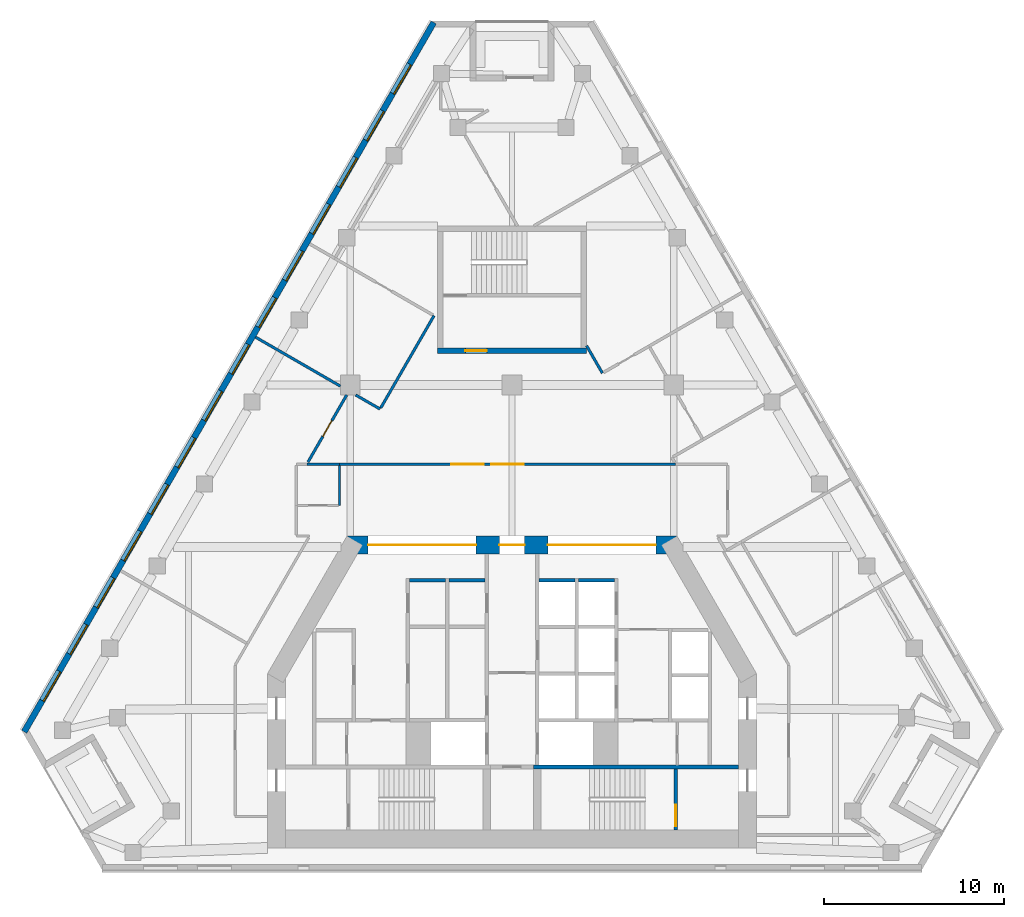
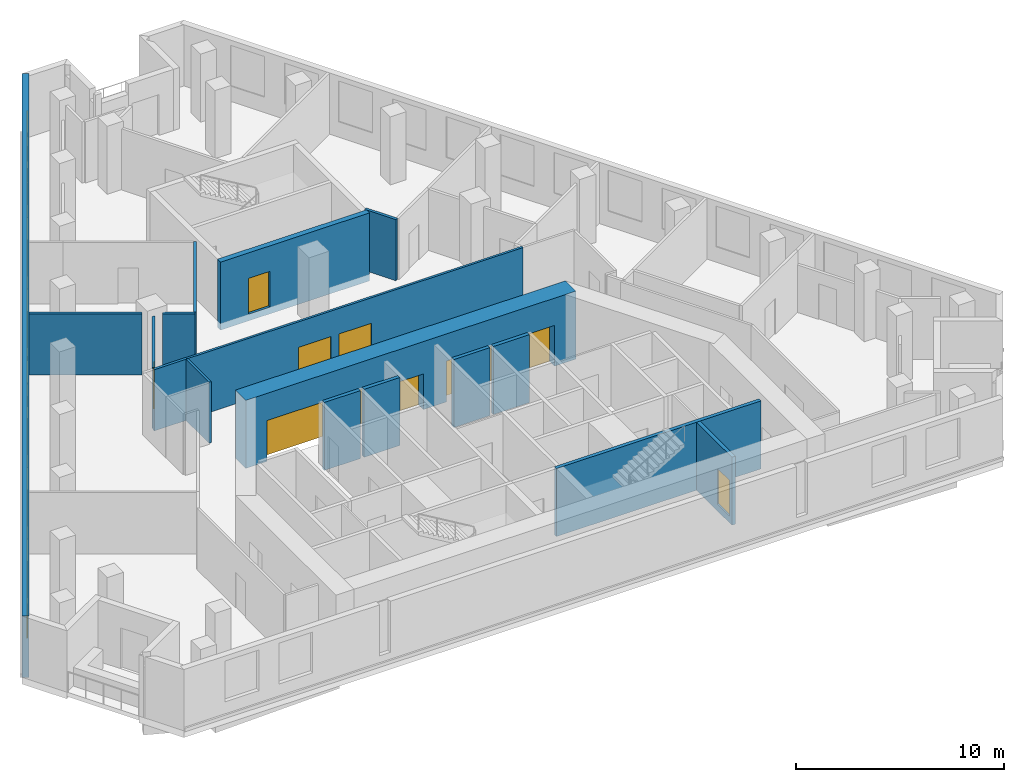
# One storey, part 5 of 9: 17 walls, 14 windows, 8 doors, 22 openings.
"""IFC4 building model written with IfcOpenShell, lengths in metres."""

from ifc_helpers import new_model, si_unit, direction, frame, frame_2d, origin, place, context, subcontext, project, spatial, rectangle, extrude, material, layer, layer_set, type_object, element, fill, save


model = new_model("IFC4")

# Units and contexts
model_context = context("Model", 3, precision=1e-05, world=origin(), true_north=direction((0.0, 1.0)))
body_context = subcontext(model_context, "Body", "Model", "MODEL_VIEW")
ifc_project = project(units=[si_unit("LENGTHUNIT", "METRE"), si_unit("AREAUNIT", "SQUARE_METRE"), si_unit("VOLUMEUNIT", "CUBIC_METRE"), si_unit("PLANEANGLEUNIT", "RADIAN"), si_unit("MASSUNIT", "GRAM", prefix="KILO")], contexts=[model_context])

# Site, building, storey
site_placement = place(None, origin())
site = spatial("IfcSite", under=ifc_project, at=site_placement, CompositionType="ELEMENT")
building_placement = place(site_placement, origin())
building = spatial("IfcBuilding", under=site, at=building_placement, Name="Fogline Exchange Tower", CompositionType="ELEMENT")
storey_placement = place(building_placement, frame((0.0, 0.0, 206.10009765625)))
storey = spatial("IfcBuildingStorey", under=building, at=storey_placement, Name="L46", CompositionType="ELEMENT", Elevation=206.10009765625)

# Wall
ifc_material_1 = material(Name="Concrete C40", Category="concrete")
ifc_layer_1 = layer(ifc_material_1, 0.199951171875)
ifc_layer_set_1 = layer_set([ifc_layer_1], Name="CW20R")
wall_type_1 = type_object("IfcWallType", Name="CW20R", PredefinedType="SOLIDWALL", material=ifc_layer_set_1)
wall_1_placement = place(storey_placement, frame((1.199951171875, 5.75, -0.400146484375), z_axis=(0.0, 0.0, 1.0), x_axis=(1.0, 0.0, 0.0)))
element("IfcWall", 1, at=wall_1_placement, inside=storey, type_object=wall_type_1, Name="Stair enclosure wall", PredefinedType="SOLIDWALL", context=body_context, shape_type="SweptSolid", body=[
    extrude(rectangle(XDim=11.400146484375, YDim=0.199951171875, at=frame_2d((5.7001953125, 0.0))), origin(), (0.0, 0.0, 1.0), 4.0),
])

# Wall, opening, door
wall_2_placement = place(storey_placement, frame((9.10009765625, 2.25, -0.400146484375), z_axis=(0.0, 0.0, 1.0), x_axis=(0.0, 1.0, 0.0)))
wall_2 = element("IfcWall", 2, at=wall_2_placement, inside=storey, type_object=wall_type_1, Name="Stair enclosure wall", PredefinedType="SOLIDWALL", context=body_context, shape_type="SweptSolid", body=[
    extrude(rectangle(XDim=3.39990234375, YDim=0.199951171875, at=frame_2d((1.699951171875, 0.0))), origin(), (0.0, 0.0, 1.0), 4.0),
])
opening_1_placement = place(wall_2_placement, frame((0.199951171875, 0.0, 0.39990234375)))
opening_1 = element("IfcOpeningElement", 3, at=opening_1_placement, cuts=wall_2, Name="Opening T15-C017", PredefinedType="OPENING", context=body_context, shape_type="SweptSolid", body=[
    extrude(rectangle(XDim=1.199951171875, YDim=2.10009765625, at=frame_2d((0.60009765625, 1.050048828125))), frame((0.0, 0.10986328125, 0.0), z_axis=(0.0, -1.0, 0.0), x_axis=(1.0, 0.0, 0.0)), (0.0, 0.0, 1.0), 0.219970703125),
])
ifc_material_2 = material(Name="Steel and timber fire door", Category="steel")
door_type_1 = type_object("IfcDoorType", Name="D-ST1", OperationType="SINGLE_SWING_LEFT", PredefinedType="DOOR", material=ifc_material_2)
door_1_placement = place(opening_1_placement, origin())
door_1 = element("IfcDoor", 4, at=door_1_placement, inside=storey, type_object=door_type_1, Name="Stair door ST2", OperationType="SINGLE_SWING_LEFT", OverallHeight=2.10009765625, OverallWidth=1.199951171875, PredefinedType="DOOR", context=body_context, shape_type="SweptSolid", body=[
    extrude(rectangle(XDim=1.199951171875, YDim=2.10009765625, at=frame_2d((0.60009765625, 1.050048828125))), frame((0.0, 0.02490234375, 0.0), z_axis=(0.0, -1.0, 0.0), x_axis=(1.0, 0.0, 0.0)), (0.0, 0.0, 1.0), 0.050048828125),
])
fill(opening_1, door_1)

# Walls
ifc_layer_2 = layer(ifc_material_1, 0.199951171875)
ifc_layer_set_2 = layer_set([ifc_layer_2], Name="CW20S")
wall_type_2 = type_object("IfcWallType", Name="CW20S", PredefinedType="SOLIDWALL", material=ifc_layer_set_2)
for number, where, z_axis, x_axis, name in (
    (5, (-5.699951171875, 16.14990234375, -0.400146484375), (0.0, 0.0, 1.0), (1.0, 0.0, 0.0), "Lift shaft wall"),
    (6, (-3.5, 16.14990234375, -0.400146484375), (0.0, 0.0, 1.0), (1.0, 0.0, 0.0), "Lift shaft wall"),
    (7, (3.699951171875, 16.14990234375, -0.400146484375), (0.0, 0.0, 1.0), (1.0, 0.0, 0.0), "Lift shaft wall"),
    (8, (1.5, 16.14990234375, -0.400146484375), (0.0, 0.0, 1.0), (1.0, 0.0, 0.0), "Lift shaft wall"),
):
    element("IfcWall", number, at=place(storey_placement, frame(where, z_axis=z_axis, x_axis=x_axis)), inside=storey, type_object=wall_type_2, Name=name, PredefinedType="SOLIDWALL", context=body_context, shape_type="SweptSolid", body=[
        extrude(rectangle(XDim=2.0, YDim=0.199951171875, at=frame_2d((1.0, 0.0))), origin(), (0.0, 0.0, 1.0), 4.0),
    ])

# Wall, opening, door
ifc_layer_3 = layer(ifc_material_1, 0.300048828125)
ifc_layer_set_3 = layer_set([ifc_layer_3], Name="CW30")
wall_type_3 = type_object("IfcWallType", Name="CW30", PredefinedType="SOLIDWALL", material=ifc_layer_set_3)
wall_3_placement = place(storey_placement, frame((-4.14990234375, 28.906982421875, -0.400146484375), z_axis=(0.0, 0.0, 1.0), x_axis=(1.0, 0.0, 0.0)))
wall_3 = element("IfcWall", 9, at=wall_3_placement, inside=storey, type_object=wall_type_3, Name="Stair enclosure wall ST3", PredefinedType="SOLIDWALL", context=body_context, shape_type="SweptSolid", body=[
    extrude(rectangle(XDim=8.2998046875, YDim=0.300048828125, at=frame_2d((4.14990234375, 0.0))), origin(), (0.0, 0.0, 1.0), 4.0),
])
opening_2_placement = place(wall_3_placement, frame((1.550048828125, 0.0, 0.39990234375)))
opening_2 = element("IfcOpeningElement", 10, at=opening_2_placement, cuts=wall_3, Name="Opening T15-C023", PredefinedType="OPENING", context=body_context, shape_type="SweptSolid", body=[
    extrude(rectangle(XDim=1.199951171875, YDim=2.10009765625, at=frame_2d((0.60009765625, 1.050048828125))), frame((0.0, 0.16015625, 0.0), z_axis=(0.0, -1.0, 0.0), x_axis=(1.0, 0.0, 0.0)), (0.0, 0.0, 1.0), 0.320068359375),
])
door_type_2 = type_object("IfcDoorType", Name="D-FR1", OperationType="SINGLE_SWING_RIGHT", PredefinedType="DOOR", material=ifc_material_2)
door_2_placement = place(opening_2_placement, origin())
door_2 = element("IfcDoor", 11, at=door_2_placement, inside=storey, type_object=door_type_2, Name="Front room door ST3", OperationType="SINGLE_SWING_LEFT", OverallHeight=2.10009765625, OverallWidth=1.199951171875, PredefinedType="DOOR", context=body_context, shape_type="SweptSolid", body=[
    extrude(rectangle(XDim=1.199951171875, YDim=2.10009765625, at=frame_2d((0.60009765625, 1.050048828125))), frame((0.0, 0.02490234375, 0.0), z_axis=(0.0, -1.0, 0.0), x_axis=(1.0, 0.0, 0.0)), (0.0, 0.0, 1.0), 0.050048828125),
])
fill(opening_2, door_2)

# Wall, openings, windows
ifc_material_3 = material(Name="Brick masonry", Category="masonry")
ifc_layer_4 = layer(ifc_material_3, 0.340087890625)
ifc_layer_set_4 = layer_set([ifc_layer_4], Name="FW1")
wall_type_4 = type_object("IfcWallType", Name="FW1", PredefinedType="SOLIDWALL", material=ifc_layer_set_4)
wall_4_placement = place(storey_placement, frame((-4.352783203125, 47.1767578125, 0.0), z_axis=(0.0, 0.0, 1.0), x_axis=(-0.500000533701, -0.866025095652, 0.0)))
wall_4 = element("IfcWall", 12, at=wall_4_placement, inside=storey, type_object=wall_type_4, Name="Brick wall L46 W", PredefinedType="SOLIDWALL", context=body_context, shape_type="SweptSolid", body=[
    extrude(rectangle(XDim=45.5732421875, YDim=0.340087890625, at=frame_2d((22.78662109375, 0.0))), origin(), (0.0, 0.0, 1.0), 3.599853515625),
])
opening_3_placement = place(wall_4_placement, frame((2.6796875, 0.0, 0.89990234375)))
opening_3 = element("IfcOpeningElement", 13, at=opening_3_placement, cuts=wall_4, Name="Opening W1", PredefinedType="OPENING", context=body_context, shape_type="SweptSolid", body=[
    extrude(rectangle(XDim=1.885009765625, YDim=2.39990234375, at=frame_2d((0.9423828125, 1.199951171875))), frame((0.0, 0.18017578125, 0.0), z_axis=(0.0, -1.0, 0.0), x_axis=(1.0, 0.0, 0.0)), (0.0, 0.0, 1.0), 0.360107421875),
])
opening_4_placement = place(wall_4_placement, frame((5.6796875, 0.0, 0.89990234375)))
opening_4 = element("IfcOpeningElement", 14, at=opening_4_placement, cuts=wall_4, Name="Opening W1", PredefinedType="OPENING", context=body_context, shape_type="SweptSolid", body=[
    extrude(rectangle(XDim=1.885009765625, YDim=2.39990234375, at=frame_2d((0.9423828125, 1.199951171875))), frame((0.0, 0.18017578125, 0.0), z_axis=(0.0, -1.0, 0.0), x_axis=(1.0, 0.0, 0.0)), (0.0, 0.0, 1.0), 0.360107421875),
])
opening_5_placement = place(wall_4_placement, frame((8.6796875, 0.0, 0.89990234375)))
opening_5 = element("IfcOpeningElement", 15, at=opening_5_placement, cuts=wall_4, Name="Opening W1", PredefinedType="OPENING", context=body_context, shape_type="SweptSolid", body=[
    extrude(rectangle(XDim=1.885009765625, YDim=2.39990234375, at=frame_2d((0.9423828125, 1.199951171875))), frame((0.0, 0.18017578125, 0.0), z_axis=(0.0, -1.0, 0.0), x_axis=(1.0, 0.0, 0.0)), (0.0, 0.0, 1.0), 0.360107421875),
])
opening_6_placement = place(wall_4_placement, frame((11.6796875, 0.0, 0.89990234375)))
opening_6 = element("IfcOpeningElement", 16, at=opening_6_placement, cuts=wall_4, Name="Opening W1", PredefinedType="OPENING", context=body_context, shape_type="SweptSolid", body=[
    extrude(rectangle(XDim=1.885009765625, YDim=2.39990234375, at=frame_2d((0.9423828125, 1.199951171875))), frame((0.0, 0.18017578125, 0.0), z_axis=(0.0, -1.0, 0.0), x_axis=(1.0, 0.0, 0.0)), (0.0, 0.0, 1.0), 0.360107421875),
])
opening_7_placement = place(wall_4_placement, frame((14.6796875, 0.0, 0.89990234375)))
opening_7 = element("IfcOpeningElement", 17, at=opening_7_placement, cuts=wall_4, Name="Opening W1", PredefinedType="OPENING", context=body_context, shape_type="SweptSolid", body=[
    extrude(rectangle(XDim=1.885009765625, YDim=2.39990234375, at=frame_2d((0.9423828125, 1.199951171875))), frame((0.0, 0.18017578125, 0.0), z_axis=(0.0, -1.0, 0.0), x_axis=(1.0, 0.0, 0.0)), (0.0, 0.0, 1.0), 0.360107421875),
])
opening_8_placement = place(wall_4_placement, frame((17.6796875, 0.0, 0.89990234375)))
opening_8 = element("IfcOpeningElement", 18, at=opening_8_placement, cuts=wall_4, Name="Opening W1", PredefinedType="OPENING", context=body_context, shape_type="SweptSolid", body=[
    extrude(rectangle(XDim=1.885009765625, YDim=2.39990234375, at=frame_2d((0.9423828125, 1.199951171875))), frame((0.0, 0.18017578125, 0.0), z_axis=(0.0, -1.0, 0.0), x_axis=(1.0, 0.0, 0.0)), (0.0, 0.0, 1.0), 0.360107421875),
])
opening_9_placement = place(wall_4_placement, frame((20.6796875, 0.0, 0.89990234375)))
opening_9 = element("IfcOpeningElement", 19, at=opening_9_placement, cuts=wall_4, Name="Opening W1", PredefinedType="OPENING", context=body_context, shape_type="SweptSolid", body=[
    extrude(rectangle(XDim=1.885009765625, YDim=2.39990234375, at=frame_2d((0.9423828125, 1.199951171875))), frame((0.0, 0.18017578125, 0.0), z_axis=(0.0, -1.0, 0.0), x_axis=(1.0, 0.0, 0.0)), (0.0, 0.0, 1.0), 0.360107421875),
])
opening_10_placement = place(wall_4_placement, frame((23.6796875, 0.0, 0.89990234375)))
opening_10 = element("IfcOpeningElement", 20, at=opening_10_placement, cuts=wall_4, Name="Opening W1", PredefinedType="OPENING", context=body_context, shape_type="SweptSolid", body=[
    extrude(rectangle(XDim=1.885009765625, YDim=2.39990234375, at=frame_2d((0.9423828125, 1.199951171875))), frame((0.0, 0.18017578125, 0.0), z_axis=(0.0, -1.0, 0.0), x_axis=(1.0, 0.0, 0.0)), (0.0, 0.0, 1.0), 0.360107421875),
])
opening_11_placement = place(wall_4_placement, frame((26.6796875, 0.0, 0.89990234375)))
opening_11 = element("IfcOpeningElement", 21, at=opening_11_placement, cuts=wall_4, Name="Opening W1", PredefinedType="OPENING", context=body_context, shape_type="SweptSolid", body=[
    extrude(rectangle(XDim=1.885009765625, YDim=2.39990234375, at=frame_2d((0.9423828125, 1.199951171875))), frame((0.0, 0.18017578125, 0.0), z_axis=(0.0, -1.0, 0.0), x_axis=(1.0, 0.0, 0.0)), (0.0, 0.0, 1.0), 0.360107421875),
])
opening_12_placement = place(wall_4_placement, frame((29.6796875, 0.0, 0.89990234375)))
opening_12 = element("IfcOpeningElement", 22, at=opening_12_placement, cuts=wall_4, Name="Opening W1", PredefinedType="OPENING", context=body_context, shape_type="SweptSolid", body=[
    extrude(rectangle(XDim=1.885009765625, YDim=2.39990234375, at=frame_2d((0.9423828125, 1.199951171875))), frame((0.0, 0.18017578125, 0.0), z_axis=(0.0, -1.0, 0.0), x_axis=(1.0, 0.0, 0.0)), (0.0, 0.0, 1.0), 0.360107421875),
])
opening_13_placement = place(wall_4_placement, frame((32.6796875, 0.0, 0.89990234375)))
opening_13 = element("IfcOpeningElement", 23, at=opening_13_placement, cuts=wall_4, Name="Opening W1", PredefinedType="OPENING", context=body_context, shape_type="SweptSolid", body=[
    extrude(rectangle(XDim=1.885009765625, YDim=2.39990234375, at=frame_2d((0.9423828125, 1.199951171875))), frame((0.0, 0.18017578125, 0.0), z_axis=(0.0, -1.0, 0.0), x_axis=(1.0, 0.0, 0.0)), (0.0, 0.0, 1.0), 0.360107421875),
])
opening_14_placement = place(wall_4_placement, frame((35.6796875, 0.0, 0.89990234375)))
opening_14 = element("IfcOpeningElement", 24, at=opening_14_placement, cuts=wall_4, Name="Opening W1", PredefinedType="OPENING", context=body_context, shape_type="SweptSolid", body=[
    extrude(rectangle(XDim=1.885009765625, YDim=2.39990234375, at=frame_2d((0.9423828125, 1.199951171875))), frame((0.0, 0.18017578125, 0.0), z_axis=(0.0, -1.0, 0.0), x_axis=(1.0, 0.0, 0.0)), (0.0, 0.0, 1.0), 0.360107421875),
])
opening_15_placement = place(wall_4_placement, frame((38.6796875, 0.0, 0.89990234375)))
opening_15 = element("IfcOpeningElement", 25, at=opening_15_placement, cuts=wall_4, Name="Opening W1", PredefinedType="OPENING", context=body_context, shape_type="SweptSolid", body=[
    extrude(rectangle(XDim=1.885009765625, YDim=2.39990234375, at=frame_2d((0.9423828125, 1.199951171875))), frame((0.0, 0.18017578125, 0.0), z_axis=(0.0, -1.0, 0.0), x_axis=(1.0, 0.0, 0.0)), (0.0, 0.0, 1.0), 0.360107421875),
])
opening_16_placement = place(wall_4_placement, frame((41.6796875, 0.0, 0.89990234375)))
opening_16 = element("IfcOpeningElement", 26, at=opening_16_placement, cuts=wall_4, Name="Opening W1", PredefinedType="OPENING", context=body_context, shape_type="SweptSolid", body=[
    extrude(rectangle(XDim=1.885009765625, YDim=2.39990234375, at=frame_2d((0.9423828125, 1.199951171875))), frame((0.0, 0.18017578125, 0.0), z_axis=(0.0, -1.0, 0.0), x_axis=(1.0, 0.0, 0.0)), (0.0, 0.0, 1.0), 0.360107421875),
])
ifc_material_4 = material(Name="Aluminium and glass", Category="aluminium")
window_type = type_object("IfcWindowType", Name="W1", PartitioningType="SINGLE_PANEL", PredefinedType="WINDOW", material=ifc_material_4)
window_1_placement = place(opening_3_placement, origin())
window_1 = element("IfcWindow", 27, at=window_1_placement, inside=storey, type_object=window_type, Name="W1 W1", OverallHeight=2.39990234375, OverallWidth=1.885009765625, PartitioningType="SINGLE_PANEL", PredefinedType="WINDOW", context=body_context, shape_type="SweptSolid", body=[
    extrude(rectangle(XDim=1.885009765625, YDim=2.39990234375, at=frame_2d((0.9423828125, 1.199951171875))), frame((0.0, 0.110107421875, 0.0), z_axis=(0.0, -1.0, 0.0), x_axis=(1.0, 0.0, 0.0)), (0.0, 0.0, 1.0), 0.06005859375),
])
fill(opening_3, window_1)
window_2_placement = place(opening_4_placement, origin())
window_2 = element("IfcWindow", 28, at=window_2_placement, inside=storey, type_object=window_type, Name="W1 W1", OverallHeight=2.39990234375, OverallWidth=1.885009765625, PartitioningType="SINGLE_PANEL", PredefinedType="WINDOW", context=body_context, shape_type="SweptSolid", body=[
    extrude(rectangle(XDim=1.885009765625, YDim=2.39990234375, at=frame_2d((0.9423828125, 1.199951171875))), frame((0.0, 0.110107421875, 0.0), z_axis=(0.0, -1.0, 0.0), x_axis=(1.0, 0.0, 0.0)), (0.0, 0.0, 1.0), 0.06005859375),
])
fill(opening_4, window_2)
window_3_placement = place(opening_5_placement, origin())
window_3 = element("IfcWindow", 29, at=window_3_placement, inside=storey, type_object=window_type, Name="W1 W1", OverallHeight=2.39990234375, OverallWidth=1.885009765625, PartitioningType="SINGLE_PANEL", PredefinedType="WINDOW", context=body_context, shape_type="SweptSolid", body=[
    extrude(rectangle(XDim=1.885009765625, YDim=2.39990234375, at=frame_2d((0.9423828125, 1.199951171875))), frame((0.0, 0.110107421875, 0.0), z_axis=(0.0, -1.0, 0.0), x_axis=(1.0, 0.0, 0.0)), (0.0, 0.0, 1.0), 0.06005859375),
])
fill(opening_5, window_3)
window_4_placement = place(opening_6_placement, origin())
window_4 = element("IfcWindow", 30, at=window_4_placement, inside=storey, type_object=window_type, Name="W1 W1", OverallHeight=2.39990234375, OverallWidth=1.885009765625, PartitioningType="SINGLE_PANEL", PredefinedType="WINDOW", context=body_context, shape_type="SweptSolid", body=[
    extrude(rectangle(XDim=1.885009765625, YDim=2.39990234375, at=frame_2d((0.9423828125, 1.199951171875))), frame((0.0, 0.110107421875, 0.0), z_axis=(0.0, -1.0, 0.0), x_axis=(1.0, 0.0, 0.0)), (0.0, 0.0, 1.0), 0.06005859375),
])
fill(opening_6, window_4)
window_5_placement = place(opening_7_placement, origin())
window_5 = element("IfcWindow", 31, at=window_5_placement, inside=storey, type_object=window_type, Name="W1 W1", OverallHeight=2.39990234375, OverallWidth=1.885009765625, PartitioningType="SINGLE_PANEL", PredefinedType="WINDOW", context=body_context, shape_type="SweptSolid", body=[
    extrude(rectangle(XDim=1.885009765625, YDim=2.39990234375, at=frame_2d((0.9423828125, 1.199951171875))), frame((0.0, 0.110107421875, 0.0), z_axis=(0.0, -1.0, 0.0), x_axis=(1.0, 0.0, 0.0)), (0.0, 0.0, 1.0), 0.06005859375),
])
fill(opening_7, window_5)
window_6_placement = place(opening_8_placement, origin())
window_6 = element("IfcWindow", 32, at=window_6_placement, inside=storey, type_object=window_type, Name="W1 W1", OverallHeight=2.39990234375, OverallWidth=1.885009765625, PartitioningType="SINGLE_PANEL", PredefinedType="WINDOW", context=body_context, shape_type="SweptSolid", body=[
    extrude(rectangle(XDim=1.885009765625, YDim=2.39990234375, at=frame_2d((0.9423828125, 1.199951171875))), frame((0.0, 0.110107421875, 0.0), z_axis=(0.0, -1.0, 0.0), x_axis=(1.0, 0.0, 0.0)), (0.0, 0.0, 1.0), 0.06005859375),
])
fill(opening_8, window_6)
window_7_placement = place(opening_9_placement, origin())
window_7 = element("IfcWindow", 33, at=window_7_placement, inside=storey, type_object=window_type, Name="W1 W1", OverallHeight=2.39990234375, OverallWidth=1.885009765625, PartitioningType="SINGLE_PANEL", PredefinedType="WINDOW", context=body_context, shape_type="SweptSolid", body=[
    extrude(rectangle(XDim=1.885009765625, YDim=2.39990234375, at=frame_2d((0.9423828125, 1.199951171875))), frame((0.0, 0.110107421875, 0.0), z_axis=(0.0, -1.0, 0.0), x_axis=(1.0, 0.0, 0.0)), (0.0, 0.0, 1.0), 0.06005859375),
])
fill(opening_9, window_7)
window_8_placement = place(opening_10_placement, origin())
window_8 = element("IfcWindow", 34, at=window_8_placement, inside=storey, type_object=window_type, Name="W1 W1", OverallHeight=2.39990234375, OverallWidth=1.885009765625, PartitioningType="SINGLE_PANEL", PredefinedType="WINDOW", context=body_context, shape_type="SweptSolid", body=[
    extrude(rectangle(XDim=1.885009765625, YDim=2.39990234375, at=frame_2d((0.9423828125, 1.199951171875))), frame((0.0, 0.110107421875, 0.0), z_axis=(0.0, -1.0, 0.0), x_axis=(1.0, 0.0, 0.0)), (0.0, 0.0, 1.0), 0.06005859375),
])
fill(opening_10, window_8)
window_9_placement = place(opening_11_placement, origin())
window_9 = element("IfcWindow", 35, at=window_9_placement, inside=storey, type_object=window_type, Name="W1 W1", OverallHeight=2.39990234375, OverallWidth=1.885009765625, PartitioningType="SINGLE_PANEL", PredefinedType="WINDOW", context=body_context, shape_type="SweptSolid", body=[
    extrude(rectangle(XDim=1.885009765625, YDim=2.39990234375, at=frame_2d((0.9423828125, 1.199951171875))), frame((0.0, 0.110107421875, 0.0), z_axis=(0.0, -1.0, 0.0), x_axis=(1.0, 0.0, 0.0)), (0.0, 0.0, 1.0), 0.06005859375),
])
fill(opening_11, window_9)
window_10_placement = place(opening_12_placement, origin())
window_10 = element("IfcWindow", 36, at=window_10_placement, inside=storey, type_object=window_type, Name="W1 W1", OverallHeight=2.39990234375, OverallWidth=1.885009765625, PartitioningType="SINGLE_PANEL", PredefinedType="WINDOW", context=body_context, shape_type="SweptSolid", body=[
    extrude(rectangle(XDim=1.885009765625, YDim=2.39990234375, at=frame_2d((0.9423828125, 1.199951171875))), frame((0.0, 0.110107421875, 0.0), z_axis=(0.0, -1.0, 0.0), x_axis=(1.0, 0.0, 0.0)), (0.0, 0.0, 1.0), 0.06005859375),
])
fill(opening_12, window_10)
window_11_placement = place(opening_13_placement, origin())
window_11 = element("IfcWindow", 37, at=window_11_placement, inside=storey, type_object=window_type, Name="W1 W1", OverallHeight=2.39990234375, OverallWidth=1.885009765625, PartitioningType="SINGLE_PANEL", PredefinedType="WINDOW", context=body_context, shape_type="SweptSolid", body=[
    extrude(rectangle(XDim=1.885009765625, YDim=2.39990234375, at=frame_2d((0.9423828125, 1.199951171875))), frame((0.0, 0.110107421875, 0.0), z_axis=(0.0, -1.0, 0.0), x_axis=(1.0, 0.0, 0.0)), (0.0, 0.0, 1.0), 0.06005859375),
])
fill(opening_13, window_11)
window_12_placement = place(opening_14_placement, origin())
window_12 = element("IfcWindow", 38, at=window_12_placement, inside=storey, type_object=window_type, Name="W1 W1", OverallHeight=2.39990234375, OverallWidth=1.885009765625, PartitioningType="SINGLE_PANEL", PredefinedType="WINDOW", context=body_context, shape_type="SweptSolid", body=[
    extrude(rectangle(XDim=1.885009765625, YDim=2.39990234375, at=frame_2d((0.9423828125, 1.199951171875))), frame((0.0, 0.110107421875, 0.0), z_axis=(0.0, -1.0, 0.0), x_axis=(1.0, 0.0, 0.0)), (0.0, 0.0, 1.0), 0.06005859375),
])
fill(opening_14, window_12)
window_13_placement = place(opening_15_placement, origin())
window_13 = element("IfcWindow", 39, at=window_13_placement, inside=storey, type_object=window_type, Name="W1 W1", OverallHeight=2.39990234375, OverallWidth=1.885009765625, PartitioningType="SINGLE_PANEL", PredefinedType="WINDOW", context=body_context, shape_type="SweptSolid", body=[
    extrude(rectangle(XDim=1.885009765625, YDim=2.39990234375, at=frame_2d((0.9423828125, 1.199951171875))), frame((0.0, 0.110107421875, 0.0), z_axis=(0.0, -1.0, 0.0), x_axis=(1.0, 0.0, 0.0)), (0.0, 0.0, 1.0), 0.06005859375),
])
fill(opening_15, window_13)
window_14_placement = place(opening_16_placement, origin())
window_14 = element("IfcWindow", 40, at=window_14_placement, inside=storey, type_object=window_type, Name="W1 W1", OverallHeight=2.39990234375, OverallWidth=1.885009765625, PartitioningType="SINGLE_PANEL", PredefinedType="WINDOW", context=body_context, shape_type="SweptSolid", body=[
    extrude(rectangle(XDim=1.885009765625, YDim=2.39990234375, at=frame_2d((0.9423828125, 1.199951171875))), frame((0.0, 0.110107421875, 0.0), z_axis=(0.0, -1.0, 0.0), x_axis=(1.0, 0.0, 0.0)), (0.0, 0.0, 1.0), 0.06005859375),
])
fill(opening_16, window_14)

# Wall, openings, doors
ifc_material_5 = material(Name="Plasterboard corridor partition with mineral wool, 2 layers each side")
ifc_layer_5 = layer(ifc_material_5, 0.125)
ifc_layer_set_5 = layer_set([ifc_layer_5], Name="PW2")
wall_type_5 = type_object("IfcWallType", Name="PW2", PredefinedType="PARTITIONING", material=ifc_layer_set_5)
wall_5_placement = place(storey_placement, frame((-9.60009765625, 22.60009765625, 0.0), z_axis=(0.0, 0.0, 1.0), x_axis=(1.0, 0.0, 0.0)))
wall_5 = element("IfcWall", 41, at=wall_5_placement, inside=storey, type_object=wall_type_5, Name="wall-L46-W007", PredefinedType="PARTITIONING", context=body_context, shape_type="SweptSolid", body=[
    extrude(rectangle(XDim=18.708251953125, YDim=0.125, at=frame_2d((9.35400390625, 0.0))), origin(), (0.0, 0.0, 1.0), 3.599853515625),
])
opening_17_placement = place(wall_5_placement, frame((6.216552734375, 0.0, 0.0)))
opening_17 = element("IfcOpeningElement", 42, at=opening_17_placement, cuts=wall_5, Name="Opening T15-D003", PredefinedType="OPENING", context=body_context, shape_type="SweptSolid", body=[
    extrude(rectangle(XDim=1.800048828125, YDim=2.10009765625, at=frame_2d((0.89990234375, 1.050048828125))), frame((0.0, 0.072509765625, 0.0), z_axis=(0.0, -1.0, 0.0), x_axis=(1.0, 0.0, 0.0)), (0.0, 0.0, 1.0), 0.14501953125),
])
opening_18_placement = place(wall_5_placement, frame((8.4541015625, 0.0, 0.0)))
opening_18 = element("IfcOpeningElement", 43, at=opening_18_placement, cuts=wall_5, Name="Opening T15-D004", PredefinedType="OPENING", context=body_context, shape_type="SweptSolid", body=[
    extrude(rectangle(XDim=1.800048828125, YDim=2.10009765625, at=frame_2d((0.89990234375, 1.050048828125))), frame((0.0, 0.072509765625, 0.0), z_axis=(0.0, -1.0, 0.0), x_axis=(1.0, 0.0, 0.0)), (0.0, 0.0, 1.0), 0.14501953125),
])
ifc_material_6 = material(Name="Fire-rated timber door leaves with steel frame", Category="steel")
door_type_3 = type_object("IfcDoorType", Name="D4", OperationType="DOUBLE_DOOR_SINGLE_SWING", PredefinedType="DOOR", material=ifc_material_6)
door_3_placement = place(opening_17_placement, frame((1.800048828125, 0.0, 0.0), z_axis=(0.0, 0.0, 1.0), x_axis=(-1.0, 0.0, 0.0)))
door_3 = element("IfcDoor", 44, at=door_3_placement, inside=storey, type_object=door_type_3, Name="door-L46-D003", OperationType="DOUBLE_DOOR_SINGLE_SWING", OverallHeight=2.10009765625, OverallWidth=1.800048828125, PredefinedType="DOOR", context=body_context, shape_type="SweptSolid", body=[
    extrude(rectangle(XDim=1.800048828125, YDim=2.10009765625, at=frame_2d((0.89990234375, 1.050048828125))), frame((0.0, 0.02490234375, 0.0), z_axis=(0.0, -1.0, 0.0), x_axis=(1.0, 0.0, 0.0)), (0.0, 0.0, 1.0), 0.050048828125),
])
fill(opening_17, door_3)
door_4_placement = place(opening_18_placement, frame((1.800048828125, 0.0, 0.0), z_axis=(0.0, 0.0, 1.0), x_axis=(-1.0, 0.0, 0.0)))
door_4 = element("IfcDoor", 45, at=door_4_placement, inside=storey, type_object=door_type_3, Name="door-L46-D004", OperationType="DOUBLE_DOOR_SINGLE_SWING", OverallHeight=2.10009765625, OverallWidth=1.800048828125, PredefinedType="DOOR", context=body_context, shape_type="SweptSolid", body=[
    extrude(rectangle(XDim=1.800048828125, YDim=2.10009765625, at=frame_2d((0.89990234375, 1.050048828125))), frame((0.0, 0.02490234375, 0.0), z_axis=(0.0, -1.0, 0.0), x_axis=(1.0, 0.0, 0.0)), (0.0, 0.0, 1.0), 0.050048828125),
])
fill(opening_18, door_4)

# Walls
wall_6_placement = place(storey_placement, frame((-9.60009765625, 20.300048828125, 0.0), z_axis=(0.0, 0.0, 1.0), x_axis=(0.0, 1.0, 0.0)))
element("IfcWall", 46, at=wall_6_placement, inside=storey, type_object=wall_type_5, Name="wall-L46-W009", PredefinedType="PARTITIONING", context=body_context, shape_type="SweptSolid", body=[
    extrude(rectangle(XDim=2.224365234375, YDim=0.125, at=frame_2d((1.1123046875, 0.0))), origin(), (0.0, 0.0, 1.0), 3.599853515625),
])
ifc_material_7 = material(Name="Plasterboard demising partition with mineral wool and acoustic board")
ifc_layer_6 = layer(ifc_material_7, 0.14990234375)
ifc_layer_set_6 = layer_set([ifc_layer_6], Name="PW3")
wall_type_6 = type_object("IfcWallType", Name="PW3", PredefinedType="PARTITIONING", material=ifc_layer_set_6)
wall_7_placement = place(storey_placement, frame((5.030029296875, 27.663818359375, 0.0), z_axis=(0.0, 0.0, 1.0), x_axis=(-0.50006265593, 0.865989226344, 0.0)))
element("IfcWall", 47, at=wall_7_placement, inside=storey, type_object=wall_type_6, Name="wall-L46-W028", PredefinedType="PARTITIONING", context=body_context, shape_type="SweptSolid", body=[
    extrude(rectangle(XDim=1.760009765625, YDim=0.14990234375, at=frame_2d((0.8798828125, 0.0))), origin(), (0.0, 0.0, 1.0), 3.599853515625),
])
wall_8_placement = place(storey_placement, frame((-8.69775390625, 26.449951171875, 0.0), z_axis=(0.0, 0.0, 1.0), x_axis=(0.866071624186, -0.499919935369, 0.0)))
element("IfcWall", 48, at=wall_8_placement, inside=storey, type_object=wall_type_6, Name="wall-L46-W036", PredefinedType="PARTITIONING", context=body_context, shape_type="SweptSolid", body=[
    extrude(rectangle(XDim=1.569580078125, YDim=0.14990234375, at=frame_2d((0.78466796875, 0.0))), origin(), (0.0, 0.0, 1.0), 3.599853515625),
])
wall_9_placement = place(storey_placement, frame((-7.301025390625, 25.730224609375, 0.0), z_axis=(0.0, 0.0, 1.0), x_axis=(0.500025631269, 0.866010605059, 0.0)))
element("IfcWall", 49, at=wall_9_placement, inside=storey, type_object=wall_type_6, Name="wall-L46-W037", PredefinedType="PARTITIONING", context=body_context, shape_type="SweptSolid", body=[
    extrude(rectangle(XDim=5.925048828125, YDim=0.14990234375, at=frame_2d((2.96240234375, 0.0))), origin(), (0.0, 0.0, 1.0), 3.599853515625),
])
wall_10_placement = place(storey_placement, frame((-9.60009765625, 22.60009765625, 0.0), z_axis=(0.0, 0.0, 1.0), x_axis=(-1.0, 0.0, 0.0)))
element("IfcWall", 50, at=wall_10_placement, inside=storey, type_object=wall_type_6, Name="wall-L46-W039", PredefinedType="PARTITIONING", context=body_context, shape_type="SweptSolid", body=[
    extrude(rectangle(XDim=1.8173828125, YDim=0.14990234375, at=frame_2d((0.90869140625, 0.0))), origin(), (0.0, 0.0, 1.0), 3.599853515625),
])

# Wall, opening, door
wall_11_placement = place(storey_placement, frame((-11.352294921875, 22.712890625, 0.0), z_axis=(0.0, 0.0, 1.0), x_axis=(0.50002119175, 0.866013168376, 0.0)))
wall_11 = element("IfcWall", 51, at=wall_11_placement, inside=storey, type_object=wall_type_6, Name="wall-L46-W040", PredefinedType="PARTITIONING", context=body_context, shape_type="SweptSolid", body=[
    extrude(rectangle(XDim=4.315185546875, YDim=0.14990234375, at=frame_2d((2.15771484375, 0.0))), origin(), (0.0, 0.0, 1.0), 3.599853515625),
])
opening_19_placement = place(wall_11_placement, frame((1.65771484375, 0.0, 0.0)))
opening_19 = element("IfcOpeningElement", 52, at=opening_19_placement, cuts=wall_11, Name="Opening T15-D012", PredefinedType="OPENING", context=body_context, shape_type="SweptSolid", body=[
    extrude(rectangle(XDim=1.0, YDim=2.10009765625, at=frame_2d((0.5, 1.050048828125))), frame((0.0, 0.0849609375, 0.0), z_axis=(0.0, -1.0, 0.0), x_axis=(1.0, 0.0, 0.0)), (0.0, 0.0, 1.0), 0.169921875),
])
ifc_material_8 = material(Name="Fire-rated timber door leaf with steel frame", Category="steel")
door_type_4 = type_object("IfcDoorType", Name="D3", OperationType="SINGLE_SWING_LEFT", PredefinedType="DOOR", material=ifc_material_8)
door_5_placement = place(opening_19_placement, origin())
door_5 = element("IfcDoor", 53, at=door_5_placement, inside=storey, type_object=door_type_4, Name="door-L46-D012", OperationType="SINGLE_SWING_LEFT", OverallHeight=2.10009765625, OverallWidth=1.0, PredefinedType="DOOR", context=body_context, shape_type="SweptSolid", body=[
    extrude(rectangle(XDim=1.0, YDim=2.10009765625, at=frame_2d((0.5, 1.050048828125))), frame((0.0, 0.02490234375, 0.0), z_axis=(0.0, -1.0, 0.0), x_axis=(1.0, 0.0, 0.0)), (0.0, 0.0, 1.0), 0.050048828125),
])
fill(opening_19, door_5)

# Wall
wall_12_placement = place(storey_placement, frame((-9.550048828125, 26.94189453125, 0.0), z_axis=(0.0, 0.0, 1.0), x_axis=(-0.866002689781, 0.500039339744, 0.0)))
element("IfcWall", 54, at=wall_12_placement, inside=storey, type_object=wall_type_6, Name="wall-L46-W042", PredefinedType="PARTITIONING", context=body_context, shape_type="SweptSolid", body=[
    extrude(rectangle(XDim=5.4462890625, YDim=0.14990234375, at=frame_2d((2.72314453125, 0.0))), origin(), (0.0, 0.0, 1.0), 3.599853515625),
])

# Wall, openings, doors
ifc_material_9 = material(Name="Concrete C60", Category="concrete")
ifc_layer_7 = layer(ifc_material_9, 1.0)
ifc_layer_set_7 = layer_set([ifc_layer_7], Name="SW03")
wall_type_7 = type_object("IfcWallType", Name="SW03", PredefinedType="SHEAR", material=ifc_layer_set_7)
wall_13_placement = place(storey_placement, frame((9.1806640625, 18.10009765625, 0.0), z_axis=(0.0, 0.0, 1.0), x_axis=(-1.0, 0.0, 0.0)))
wall_13 = element("IfcWall", 55, at=wall_13_placement, inside=storey, type_object=wall_type_7, Name="L46-W904", PredefinedType="SHEAR", context=body_context, shape_type="SweptSolid", body=[
    extrude(rectangle(XDim=18.361328125, YDim=1.0, at=frame_2d((9.1806640625, 0.0))), origin(), (0.0, 0.0, 1.0), 4.0),
])
opening_20_placement = place(wall_13_placement, frame((8.480712890625, 0.0, 0.0)))
opening_20 = element("IfcOpeningElement", 56, at=opening_20_placement, cuts=wall_13, Name="Opening T15-C020", PredefinedType="OPENING", context=body_context, shape_type="SweptSolid", body=[
    extrude(rectangle(XDim=1.39990234375, YDim=2.10009765625, at=frame_2d((0.699951171875, 1.050048828125))), frame((0.0, 0.510009765625, 0.0), z_axis=(0.0, -1.0, 0.0), x_axis=(1.0, 0.0, 0.0)), (0.0, 0.0, 1.0), 1.02001953125),
])
opening_21_placement = place(wall_13_placement, frame((11.1806640625, 0.0, 0.0)))
opening_21 = element("IfcOpeningElement", 57, at=opening_21_placement, cuts=wall_13, Name="Opening T15-C021", PredefinedType="OPENING", context=body_context, shape_type="SweptSolid", body=[
    extrude(rectangle(XDim=6.0, YDim=2.39990234375, at=frame_2d((3.0, 1.199951171875))), frame((0.0, 0.510009765625, 0.0), z_axis=(0.0, -1.0, 0.0), x_axis=(1.0, 0.0, 0.0)), (0.0, 0.0, 1.0), 1.02001953125),
])
opening_22_placement = place(wall_13_placement, frame((1.1806640625, 0.0, 0.0)))
opening_22 = element("IfcOpeningElement", 58, at=opening_22_placement, cuts=wall_13, Name="Opening T15-C022", PredefinedType="OPENING", context=body_context, shape_type="SweptSolid", body=[
    extrude(rectangle(XDim=6.0, YDim=2.39990234375, at=frame_2d((3.0, 1.199951171875))), frame((0.0, 0.510009765625, 0.0), z_axis=(0.0, -1.0, 0.0), x_axis=(1.0, 0.0, 0.0)), (0.0, 0.0, 1.0), 1.02001953125),
])
door_type_5 = type_object("IfcDoorType", Name="D-LB1", OperationType="DOUBLE_DOOR_SINGLE_SWING", PredefinedType="DOOR", material=ifc_material_2)
door_6_placement = place(opening_20_placement, origin())
door_6 = element("IfcDoor", 59, at=door_6_placement, inside=storey, type_object=door_type_5, Name="Protected lobby door", OperationType="DOUBLE_DOOR_SINGLE_SWING", OverallHeight=2.10009765625, OverallWidth=1.39990234375, PredefinedType="DOOR", context=body_context, shape_type="SweptSolid", body=[
    extrude(rectangle(XDim=1.39990234375, YDim=2.10009765625, at=frame_2d((0.699951171875, 1.050048828125))), frame((0.0, 0.02490234375, 0.0), z_axis=(0.0, -1.0, 0.0), x_axis=(1.0, 0.0, 0.0)), (0.0, 0.0, 1.0), 0.050048828125),
])
fill(opening_20, door_6)
door_type_6 = type_object("IfcDoorType", Name="D-LE1", OperationType="DOUBLE_DOOR_SLIDING", PredefinedType="DOOR", material=ifc_material_2)
door_7_placement = place(opening_21_placement, origin())
door_7 = element("IfcDoor", 60, at=door_7_placement, inside=storey, type_object=door_type_6, Name="Lift lobby entrance west", OperationType="DOUBLE_DOOR_SLIDING", OverallHeight=2.39990234375, OverallWidth=6.0, PredefinedType="DOOR", context=body_context, shape_type="SweptSolid", body=[
    extrude(rectangle(XDim=6.0, YDim=2.39990234375, at=frame_2d((3.0, 1.199951171875))), frame((0.0, 0.02490234375, 0.0), z_axis=(0.0, -1.0, 0.0), x_axis=(1.0, 0.0, 0.0)), (0.0, 0.0, 1.0), 0.050048828125),
])
fill(opening_21, door_7)
door_8_placement = place(opening_22_placement, origin())
door_8 = element("IfcDoor", 61, at=door_8_placement, inside=storey, type_object=door_type_6, Name="Lift lobby entrance east", OperationType="DOUBLE_DOOR_SLIDING", OverallHeight=2.39990234375, OverallWidth=6.0, PredefinedType="DOOR", context=body_context, shape_type="SweptSolid", body=[
    extrude(rectangle(XDim=6.0, YDim=2.39990234375, at=frame_2d((3.0, 1.199951171875))), frame((0.0, 0.02490234375, 0.0), z_axis=(0.0, -1.0, 0.0), x_axis=(1.0, 0.0, 0.0)), (0.0, 0.0, 1.0), 0.050048828125),
])
fill(opening_22, door_8)

save(model, "model.ifc")
